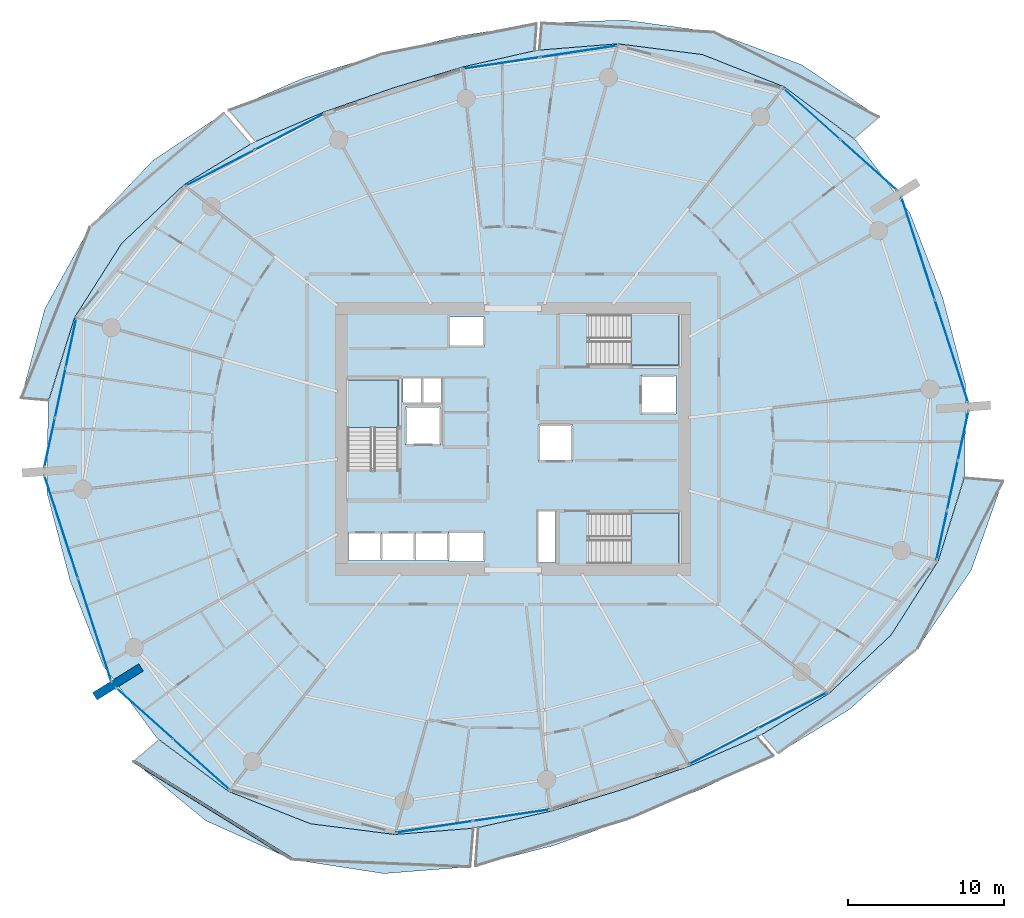
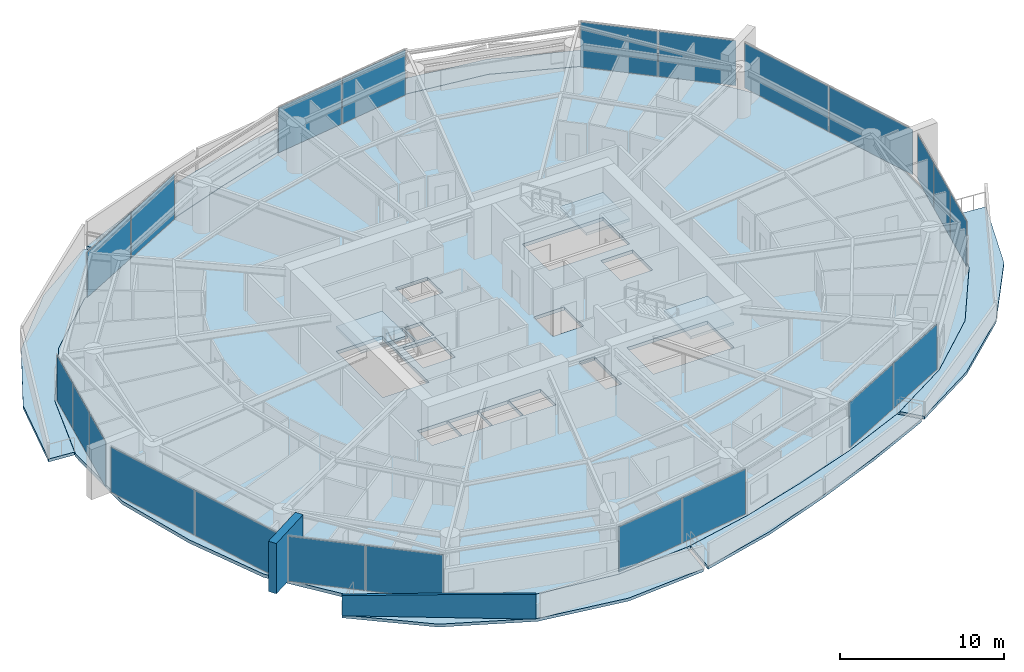
# One storey, part 10 of 23: 22 plates, 10 slabs, 2 walls, 13 elements without a shape of their own.
"""IFC4 building model written with IfcOpenShell, lengths in metres."""

from ifc_helpers import new_model, si_unit, direction, frame, frame_2d, origin, origin_2d, place, context, subcontext, project, spatial, polyline, rectangle, outline, extrude, material, layer, layer_set, type_object, element, aggregate, save


model = new_model("IFC4")

# Units and contexts
model_context = context("Model", 3, precision=1e-05, world=origin(), true_north=direction((0.0, 1.0)))
body_context = subcontext(model_context, "Body", "Model", "MODEL_VIEW")
ifc_project = project(units=[si_unit("LENGTHUNIT", "METRE"), si_unit("AREAUNIT", "SQUARE_METRE"), si_unit("VOLUMEUNIT", "CUBIC_METRE"), si_unit("PLANEANGLEUNIT", "RADIAN"), si_unit("MASSUNIT", "GRAM", prefix="KILO")], contexts=[model_context])

# Site, building, storey
site_placement = place(None, origin())
site = spatial("IfcSite", under=ifc_project, at=site_placement, CompositionType="ELEMENT")
building_placement = place(site_placement, origin())
building = spatial("IfcBuilding", under=site, at=building_placement, Name="Kazma Halo Residences", CompositionType="ELEMENT")
storey_placement = place(building_placement, frame((0.0, 0.0, 82.64990234375)))
storey = spatial("IfcBuildingStorey", under=building, at=storey_placement, Name="L20", CompositionType="ELEMENT", Elevation=82.64990234375)

# Curtain wall, plates
ifc_material_1 = material(Name="Aluminium AW-6063 T6 and Triple-Silver Low-E Glass", Category="aluminium")
ifc_layer_1 = layer(ifc_material_1, 0.199951171875)
ifc_layer_set_1 = layer_set([ifc_layer_1], Name="Aluminium AW-6063 T6 and Triple-Silver Low-E Glass")
curtain_wall_type = type_object("IfcCurtainWallType", Name="CW-SYS-3", PredefinedType="NOTDEFINED", material=ifc_layer_set_1)
curtain_wall_1_placement = place(storey_placement, origin())
curtain_wall_1 = element("IfcCurtainWall", 1, at=curtain_wall_1_placement, inside=storey, type_object=curtain_wall_type, Name="L20 unitised curtain wall B01", PredefinedType="NOTDEFINED")
ifc_material_2 = material(Name="Clear Triple-Silver Low-E Glass IGU", Category="glass")
ifc_layer_2 = layer(ifc_material_2, 0.030029296875)
ifc_layer_set_2 = layer_set([ifc_layer_2], Name="Clear Triple-Silver Low-E Glass IGU")
plate_type = type_object("IfcPlateType", Name="CW-SYS-3-PNL", PredefinedType="CURTAIN_PANEL", material=ifc_layer_set_2)
plate_1_placement = place(storey_placement, frame((71.251220703125, 59.614013671875, 0.06982421875), z_axis=(0.0, 0.0, 1.0), x_axis=(-0.744345279359, 0.667794957375, 0.0)))
plate_1 = element("IfcPlate", 2, at=plate_1_placement, type_object=plate_type, Name="CWS-3 panel 1.1", PredefinedType="CURTAIN_PANEL", context=body_context, shape_type="SweptSolid", body=[
    extrude(rectangle(XDim=4.81982421875, YDim=0.030029296875, at=origin_2d()), origin(), (0.0, 0.0, 1.0), 3.360107421875),
])
plate_2_placement = place(storey_placement, frame((67.611572265625, 62.87939453125, 0.06982421875), z_axis=(0.0, 0.0, 1.0), x_axis=(-0.744345279359, 0.667794957375, 0.0)))
plate_2 = element("IfcPlate", 3, at=plate_2_placement, type_object=plate_type, Name="CWS-3 panel 2.1", PredefinedType="CURTAIN_PANEL", context=body_context, shape_type="SweptSolid", body=[
    extrude(rectangle(XDim=4.81982421875, YDim=0.030029296875, at=origin_2d()), origin(), (0.0, 0.0, 1.0), 3.360107421875),
])
aggregate(curtain_wall_1, [plate_1, plate_2])

curtain_wall_2_placement = place(storey_placement, origin())
curtain_wall_2 = element("IfcCurtainWall", 4, at=curtain_wall_2_placement, inside=storey, type_object=curtain_wall_type, Name="L20 unitised curtain wall B03", PredefinedType="NOTDEFINED")
plate_3_placement = place(storey_placement, frame((52.625732421875, 66.900390625, 0.06982421875), z_axis=(0.0, 0.0, 1.0), x_axis=(-0.988879747814, -0.148717330409, 0.0)))
plate_3 = element("IfcPlate", 5, at=plate_3_placement, type_object=plate_type, Name="CWS-3 panel 1.1", PredefinedType="CURTAIN_PANEL", context=body_context, shape_type="SweptSolid", body=[
    extrude(rectangle(XDim=4.922607421875, YDim=0.030029296875, at=origin_2d()), origin(), (0.0, 0.0, 1.0), 3.360107421875),
])
plate_4_placement = place(storey_placement, frame((47.6884765625, 66.157958984375, 0.06982421875), z_axis=(0.0, 0.0, 1.0), x_axis=(-0.988879747814, -0.148717330409, 0.0)))
plate_4 = element("IfcPlate", 6, at=plate_4_placement, type_object=plate_type, Name="CWS-3 panel 2.1", PredefinedType="CURTAIN_PANEL", context=body_context, shape_type="SweptSolid", body=[
    extrude(rectangle(XDim=4.922607421875, YDim=0.030029296875, at=origin_2d()), origin(), (0.0, 0.0, 1.0), 3.360107421875),
])
aggregate(curtain_wall_2, [plate_3, plate_4])

curtain_wall_3_placement = place(storey_placement, origin())
curtain_wall_3 = element("IfcCurtainWall", 7, at=curtain_wall_3_placement, inside=storey, type_object=curtain_wall_type, Name="L20 unitised curtain wall B05", PredefinedType="NOTDEFINED")
plate_5_placement = place(storey_placement, frame((34.052490234375, 61.727294921875, 0.06982421875), z_axis=(0.0, 0.0, 1.0), x_axis=(-0.887435374749, -0.460932159481, 0.0)))
plate_5 = element("IfcPlate", 8, at=plate_5_placement, type_object=plate_type, Name="CWS-3 panel 1.1", PredefinedType="CURTAIN_PANEL", context=body_context, shape_type="SweptSolid", body=[
    extrude(rectangle(XDim=4.9228515625, YDim=0.030029296875, at=origin_2d()), origin(), (0.0, 0.0, 1.0), 3.360107421875),
])
plate_6_placement = place(storey_placement, frame((29.62158203125, 59.426025390625, 0.06982421875), z_axis=(0.0, 0.0, 1.0), x_axis=(-0.887435374749, -0.460932159481, 0.0)))
plate_6 = element("IfcPlate", 9, at=plate_6_placement, type_object=plate_type, Name="CWS-3 panel 2.1", PredefinedType="CURTAIN_PANEL", context=body_context, shape_type="SweptSolid", body=[
    extrude(rectangle(XDim=4.9228515625, YDim=0.030029296875, at=origin_2d()), origin(), (0.0, 0.0, 1.0), 3.360107421875),
])
aggregate(curtain_wall_3, [plate_5, plate_6])

curtain_wall_4_placement = place(storey_placement, origin())
curtain_wall_4 = element("IfcCurtainWall", 10, at=curtain_wall_4_placement, inside=storey, type_object=curtain_wall_type, Name="L20 unitised curtain wall B07", PredefinedType="NOTDEFINED")
plate_7_placement = place(storey_placement, frame((20.033447265625, 48.1669921875, 0.06982421875), z_axis=(0.0, 0.0, 1.0), x_axis=(-0.209660822677, -0.977774176093, 0.0)))
plate_7 = element("IfcPlate", 11, at=plate_7_placement, type_object=plate_type, Name="CWS-3 panel 1.1", PredefinedType="CURTAIN_PANEL", context=body_context, shape_type="SweptSolid", body=[
    extrude(rectangle(XDim=3.17822265625, YDim=0.030029296875, at=origin_2d()), origin(), (0.0, 0.0, 1.0), 3.360107421875),
])
plate_8_placement = place(storey_placement, frame((19.3486328125, 44.973876953125, 0.06982421875), z_axis=(0.0, 0.0, 1.0), x_axis=(-0.209660822677, -0.977774176093, 0.0)))
plate_8 = element("IfcPlate", 12, at=plate_8_placement, type_object=plate_type, Name="CWS-3 panel 2.1", PredefinedType="CURTAIN_PANEL", context=body_context, shape_type="SweptSolid", body=[
    extrude(rectangle(XDim=3.213134765625, YDim=0.030029296875, at=origin_2d()), origin(), (0.0, 0.0, 1.0), 3.360107421875),
])
plate_9_placement = place(storey_placement, frame((18.6640625, 41.78076171875, 0.06982421875), z_axis=(0.0, 0.0, 1.0), x_axis=(-0.209660822677, -0.977774176093, 0.0)))
plate_9 = element("IfcPlate", 13, at=plate_9_placement, type_object=plate_type, Name="CWS-3 panel 3.1", PredefinedType="CURTAIN_PANEL", context=body_context, shape_type="SweptSolid", body=[
    extrude(rectangle(XDim=3.17822265625, YDim=0.030029296875, at=origin_2d()), origin(), (0.0, 0.0, 1.0), 3.360107421875),
])
aggregate(curtain_wall_4, [plate_7, plate_8, plate_9])

curtain_wall_5_placement = place(storey_placement, origin())
curtain_wall_5 = element("IfcCurtainWall", 14, at=curtain_wall_5_placement, inside=storey, type_object=curtain_wall_type, Name="L20 unitised curtain wall B08", PredefinedType="NOTDEFINED")
plate_10_placement = place(storey_placement, frame((19.40673828125, 36.357421875, 0.06982421875), z_axis=(0.0, 0.0, 1.0), x_axis=(0.309013282008, -0.951057722508, 0.0)))
plate_10 = element("IfcPlate", 15, at=plate_10_placement, type_object=plate_type, Name="CWS-3 panel 1.1", PredefinedType="CURTAIN_PANEL", context=body_context, shape_type="SweptSolid", body=[
    extrude(rectangle(XDim=6.868896484375, YDim=0.030029296875, at=origin_2d()), origin(), (0.0, 0.0, 1.0), 3.360107421875),
])
plate_11_placement = place(storey_placement, frame((21.551025390625, 29.758056640625, 0.06982421875), z_axis=(0.0, 0.0, 1.0), x_axis=(0.309013282008, -0.951057722508, 0.0)))
plate_11 = element("IfcPlate", 16, at=plate_11_placement, type_object=plate_type, Name="CWS-3 panel 2.1", PredefinedType="CURTAIN_PANEL", context=body_context, shape_type="SweptSolid", body=[
    extrude(rectangle(XDim=6.868896484375, YDim=0.030029296875, at=origin_2d()), origin(), (0.0, 0.0, 1.0), 3.360107421875),
])
aggregate(curtain_wall_5, [plate_10, plate_11])

curtain_wall_6_placement = place(storey_placement, origin())
curtain_wall_6 = element("IfcCurtainWall", 17, at=curtain_wall_6_placement, inside=storey, type_object=curtain_wall_type, Name="L20 unitised curtain wall B09", PredefinedType="NOTDEFINED")
plate_12_placement = place(storey_placement, frame((24.748779296875, 24.385986328125, 0.06982421875), z_axis=(0.0, 0.0, 1.0), x_axis=(0.744345279359, -0.667794957375, 0.0)))
plate_12 = element("IfcPlate", 18, at=plate_12_placement, type_object=plate_type, Name="CWS-3 panel 1.1", PredefinedType="CURTAIN_PANEL", context=body_context, shape_type="SweptSolid", body=[
    extrude(rectangle(XDim=4.81982421875, YDim=0.030029296875, at=origin_2d()), origin(), (0.0, 0.0, 1.0), 3.360107421875),
])
plate_13_placement = place(storey_placement, frame((28.388427734375, 21.12060546875, 0.06982421875), z_axis=(0.0, 0.0, 1.0), x_axis=(0.744345279359, -0.667794957375, 0.0)))
plate_13 = element("IfcPlate", 19, at=plate_13_placement, type_object=plate_type, Name="CWS-3 panel 2.1", PredefinedType="CURTAIN_PANEL", context=body_context, shape_type="SweptSolid", body=[
    extrude(rectangle(XDim=4.81982421875, YDim=0.030029296875, at=origin_2d()), origin(), (0.0, 0.0, 1.0), 3.360107421875),
])
aggregate(curtain_wall_6, [plate_12, plate_13])

curtain_wall_7_placement = place(storey_placement, origin())
curtain_wall_7 = element("IfcCurtainWall", 20, at=curtain_wall_7_placement, inside=storey, type_object=curtain_wall_type, Name="L20 unitised curtain wall B11", PredefinedType="NOTDEFINED")
plate_14_placement = place(storey_placement, frame((43.374267578125, 17.099609375, 0.06982421875), z_axis=(0.0, 0.0, 1.0), x_axis=(0.988879747814, 0.148717330409, 0.0)))
plate_14 = element("IfcPlate", 21, at=plate_14_placement, type_object=plate_type, Name="CWS-3 panel 1.1", PredefinedType="CURTAIN_PANEL", context=body_context, shape_type="SweptSolid", body=[
    extrude(rectangle(XDim=4.922607421875, YDim=0.030029296875, at=origin_2d()), origin(), (0.0, 0.0, 1.0), 3.360107421875),
])
plate_15_placement = place(storey_placement, frame((48.3115234375, 17.842041015625, 0.06982421875), z_axis=(0.0, 0.0, 1.0), x_axis=(0.988879747814, 0.148717330409, 0.0)))
plate_15 = element("IfcPlate", 22, at=plate_15_placement, type_object=plate_type, Name="CWS-3 panel 2.1", PredefinedType="CURTAIN_PANEL", context=body_context, shape_type="SweptSolid", body=[
    extrude(rectangle(XDim=4.922607421875, YDim=0.030029296875, at=origin_2d()), origin(), (0.0, 0.0, 1.0), 3.360107421875),
])
aggregate(curtain_wall_7, [plate_14, plate_15])

curtain_wall_8_placement = place(storey_placement, origin())
curtain_wall_8 = element("IfcCurtainWall", 23, at=curtain_wall_8_placement, inside=storey, type_object=curtain_wall_type, Name="L20 unitised curtain wall B13", PredefinedType="NOTDEFINED")
plate_16_placement = place(storey_placement, frame((61.947509765625, 22.272705078125, 0.06982421875), z_axis=(0.0, 0.0, 1.0), x_axis=(0.887435374749, 0.460932159481, 0.0)))
plate_16 = element("IfcPlate", 24, at=plate_16_placement, type_object=plate_type, Name="CWS-3 panel 1.1", PredefinedType="CURTAIN_PANEL", context=body_context, shape_type="SweptSolid", body=[
    extrude(rectangle(XDim=4.9228515625, YDim=0.030029296875, at=origin_2d()), origin(), (0.0, 0.0, 1.0), 3.360107421875),
])
plate_17_placement = place(storey_placement, frame((66.37841796875, 24.573974609375, 0.06982421875), z_axis=(0.0, 0.0, 1.0), x_axis=(0.887435374749, 0.460932159481, 0.0)))
plate_17 = element("IfcPlate", 25, at=plate_17_placement, type_object=plate_type, Name="CWS-3 panel 2.1", PredefinedType="CURTAIN_PANEL", context=body_context, shape_type="SweptSolid", body=[
    extrude(rectangle(XDim=4.9228515625, YDim=0.030029296875, at=origin_2d()), origin(), (0.0, 0.0, 1.0), 3.360107421875),
])
aggregate(curtain_wall_8, [plate_16, plate_17])

curtain_wall_9_placement = place(storey_placement, origin())
curtain_wall_9 = element("IfcCurtainWall", 26, at=curtain_wall_9_placement, inside=storey, type_object=curtain_wall_type, Name="L20 unitised curtain wall B15", PredefinedType="NOTDEFINED")
plate_18_placement = place(storey_placement, frame((75.966552734375, 35.8330078125, 0.06982421875), z_axis=(0.0, 0.0, 1.0), x_axis=(0.209660822677, 0.977774176093, 0.0)))
plate_18 = element("IfcPlate", 27, at=plate_18_placement, type_object=plate_type, Name="CWS-3 panel 1.1", PredefinedType="CURTAIN_PANEL", context=body_context, shape_type="SweptSolid", body=[
    extrude(rectangle(XDim=3.17822265625, YDim=0.030029296875, at=origin_2d()), origin(), (0.0, 0.0, 1.0), 3.360107421875),
])
plate_19_placement = place(storey_placement, frame((76.6513671875, 39.026123046875, 0.06982421875), z_axis=(0.0, 0.0, 1.0), x_axis=(0.209660822677, 0.977774176093, 0.0)))
plate_19 = element("IfcPlate", 28, at=plate_19_placement, type_object=plate_type, Name="CWS-3 panel 2.1", PredefinedType="CURTAIN_PANEL", context=body_context, shape_type="SweptSolid", body=[
    extrude(rectangle(XDim=3.213134765625, YDim=0.030029296875, at=origin_2d()), origin(), (0.0, 0.0, 1.0), 3.360107421875),
])
plate_20_placement = place(storey_placement, frame((77.3359375, 42.21923828125, 0.06982421875), z_axis=(0.0, 0.0, 1.0), x_axis=(0.209660822677, 0.977774176093, 0.0)))
plate_20 = element("IfcPlate", 29, at=plate_20_placement, type_object=plate_type, Name="CWS-3 panel 3.1", PredefinedType="CURTAIN_PANEL", context=body_context, shape_type="SweptSolid", body=[
    extrude(rectangle(XDim=3.17822265625, YDim=0.030029296875, at=origin_2d()), origin(), (0.0, 0.0, 1.0), 3.360107421875),
])
aggregate(curtain_wall_9, [plate_18, plate_19, plate_20])

curtain_wall_10_placement = place(storey_placement, origin())
curtain_wall_10 = element("IfcCurtainWall", 30, at=curtain_wall_10_placement, inside=storey, type_object=curtain_wall_type, Name="L20 unitised curtain wall B16", PredefinedType="NOTDEFINED")
plate_21_placement = place(storey_placement, frame((76.59326171875, 47.642578125, 0.06982421875), z_axis=(0.0, 0.0, 1.0), x_axis=(-0.309013282008, 0.951057722508, 0.0)))
plate_21 = element("IfcPlate", 31, at=plate_21_placement, type_object=plate_type, Name="CWS-3 panel 1.1", PredefinedType="CURTAIN_PANEL", context=body_context, shape_type="SweptSolid", body=[
    extrude(rectangle(XDim=6.868896484375, YDim=0.030029296875, at=origin_2d()), origin(), (0.0, 0.0, 1.0), 3.360107421875),
])
plate_22_placement = place(storey_placement, frame((74.448974609375, 54.241943359375, 0.06982421875), z_axis=(0.0, 0.0, 1.0), x_axis=(-0.309013282008, 0.951057722508, 0.0)))
plate_22 = element("IfcPlate", 32, at=plate_22_placement, type_object=plate_type, Name="CWS-3 panel 2.1", PredefinedType="CURTAIN_PANEL", context=body_context, shape_type="SweptSolid", body=[
    extrude(rectangle(XDim=6.868896484375, YDim=0.030029296875, at=origin_2d()), origin(), (0.0, 0.0, 1.0), 3.360107421875),
])
aggregate(curtain_wall_10, [plate_21, plate_22])

# Slabs
ifc_material_3 = material(Name="White Concrete C50/60", Category="concrete")
ifc_layer_3 = layer(ifc_material_3, 0.219970703125)
ifc_layer_set_3 = layer_set([ifc_layer_3], Name="White Concrete C50/60")
slab_type_1 = type_object("IfcSlabType", Name="SLB-BAL-WAVE-210", PredefinedType="FLOOR", material=ifc_layer_set_3)
slab_1_placement = place(storey_placement, frame((0.0, 0.0, -0.219970703125)))
element("IfcSlab", 33, at=slab_1_placement, inside=storey, type_object=slab_type_1, Name="L20 NE cantilevered wave balcony slab", PredefinedType="FLOOR", context=body_context, shape_type="SweptSolid", body=[
    extrude(outline(polyline([(70.323974609375, 61.303466796875), (65.841064453125, 64.63134765625), (60.5869140625, 66.702880859375), (55.161865234375, 67.394287109375), (50.12060546875, 66.992431640625), (50.267333984375, 68.7216796875), (55.593017578125, 68.922607421875), (61.321044921875, 68.144287109375), (66.961181640625, 66.052001953125), (71.92041015625, 62.68408203125), (70.323974609375, 61.303466796875)])), origin(), (0.0, 0.0, 1.0), 0.219970703125),
])
slab_2_placement = place(storey_placement, frame((0.0, 0.0, -0.219970703125)))
element("IfcSlab", 34, at=slab_2_placement, inside=storey, type_object=slab_type_1, Name="L20 NNW cantilevered wave balcony slab", PredefinedType="FLOOR", context=body_context, shape_type="SweptSolid", body=[
    extrude(outline(polyline([(49.81005859375, 66.94580078125), (45.1708984375, 65.902587890625), (40.675048828125, 64.544189453125), (36.239013671875, 63.00048828125), (31.872802734375, 61.11767578125), (30.180419921875, 63.124267578125), (35.002685546875, 65.208251953125), (39.965087890625, 66.728759765625), (44.936279296875, 67.88525390625), (49.936279296875, 68.685546875), (49.81005859375, 66.94580078125)])), origin(), (0.0, 0.0, 1.0), 0.219970703125),
])
slab_3_placement = place(storey_placement, frame((0.0, 0.0, -0.219970703125)))
element("IfcSlab", 35, at=slab_3_placement, inside=storey, type_object=slab_type_1, Name="L20 NW cantilevered wave balcony slab", PredefinedType="FLOOR", context=body_context, shape_type="SweptSolid", body=[
    extrude(outline(polyline([(31.59423828125, 60.972900390625), (27.279541015625, 58.334716796875), (23.297119140625, 54.5869140625), (20.263916015625, 49.822509765625), (18.59326171875, 44.4951171875), (16.84033203125, 44.643798828125), (18.34228515625, 50.3642578125), (21.25048828125, 55.629638671875), (25.292236328125, 59.9013671875), (29.874267578125, 62.9619140625), (31.59423828125, 60.972900390625)])), origin(), (0.0, 0.0, 1.0), 0.219970703125),
])
slab_4_placement = place(storey_placement, frame((0.0, 0.0, -0.219970703125)))
element("IfcSlab", 36, at=slab_4_placement, inside=storey, type_object=slab_type_1, Name="L20 SW cantilevered wave balcony slab", PredefinedType="FLOOR", context=body_context, shape_type="SweptSolid", body=[
    extrude(outline(polyline([(25.676025390625, 22.696533203125), (30.158935546875, 19.36865234375), (35.4130859375, 17.297119140625), (40.838134765625, 16.605712890625), (45.87939453125, 17.007568359375), (45.669189453125, 14.5322265625), (40.130126953125, 14.095703125), (34.24267578125, 14.999755859375), (28.68115234375, 17.494140625), (24.065185546875, 21.303466796875), (25.676025390625, 22.696533203125)])), origin(), (0.0, 0.0, 1.0), 0.219970703125),
])
slab_5_placement = place(storey_placement, frame((0.0, 0.0, -0.219970703125)))
element("IfcSlab", 37, at=slab_5_placement, inside=storey, type_object=slab_type_1, Name="L20 SSE cantilevered wave balcony slab", PredefinedType="FLOOR", context=body_context, shape_type="SweptSolid", body=[
    extrude(outline(polyline([(46.18994140625, 17.05419921875), (50.8291015625, 18.097412109375), (55.324951171875, 19.455810546875), (59.760986328125, 20.99951171875), (64.127197265625, 22.88232421875), (65.1494140625, 21.670654296875), (60.57470703125, 19.546142578125), (55.911865234375, 17.64990234375), (51.087646484375, 15.9130859375), (46.011474609375, 14.594482421875), (46.18994140625, 17.05419921875)])), origin(), (0.0, 0.0, 1.0), 0.219970703125),
])
slab_6_placement = place(storey_placement, frame((0.0, 0.0, -0.219970703125)))
element("IfcSlab", 38, at=slab_6_placement, inside=storey, type_object=slab_type_1, Name="L20 SE cantilevered wave balcony slab", PredefinedType="FLOOR", context=body_context, shape_type="SweptSolid", body=[
    extrude(outline(polyline([(64.40576171875, 23.027099609375), (68.720458984375, 25.665283203125), (72.702880859375, 29.4130859375), (75.736083984375, 34.177490234375), (77.40673828125, 39.5048828125), (79.87890625, 39.294921875), (77.85302734375, 33.58056640625), (74.39501953125, 28.551025390625), (70.028564453125, 24.634033203125), (65.44580078125, 21.82470703125), (64.40576171875, 23.027099609375)])), origin(), (0.0, 0.0, 1.0), 0.219970703125),
])
ifc_material_4 = material(Name="Concrete C50/60", Category="concrete")
ifc_layer_4 = layer(ifc_material_4, 0.25)
ifc_layer_set_4 = layer_set([ifc_layer_4], Name="Concrete C50/60")
slab_type_2 = type_object("IfcSlabType", Name="SLB-RES-250", PredefinedType="FLOOR", material=ifc_layer_set_4)
slab_7_placement = place(storey_placement, frame((0.0, 0.0, -0.25)))
element("IfcSlab", 39, at=slab_7_placement, inside=storey, type_object=slab_type_2, Name="L20 structural floor slab", PredefinedType="FLOOR", context=body_context, shape_type="SweptSolid", body=[
    extrude(outline(polyline([(76.02001953125, 51.104248046875), (73.918212890625, 56.514892578125), (70.459716796875, 61.182373046875), (65.83984375, 64.629638671875), (60.5859375, 66.701171875), (55.161376953125, 67.392333984375), (49.9658203125, 66.976806640625), (45.171142578125, 65.900634765625), (40.675537109375, 64.542236328125), (36.239990234375, 62.998779296875), (31.728759765625, 61.05126953125), (27.281005859375, 58.33349609375), (23.298828125, 54.5859375), (20.265869140625, 49.82177734375), (18.554443359375, 44.3173828125), (18.500244140625, 38.508544921875), (19.97998046875, 32.895751953125), (22.081787109375, 27.485107421875), (25.540283203125, 22.817626953125), (30.16015625, 19.370361328125), (35.4140625, 17.298828125), (40.838623046875, 16.607666015625), (46.0341796875, 17.023193359375), (50.828857421875, 18.099365234375), (55.324462890625, 19.457763671875), (59.760009765625, 21.001220703125), (64.271240234375, 22.94873046875), (68.718994140625, 25.66650390625), (72.701171875, 29.4140625), (75.734130859375, 34.17822265625), (77.445556640625, 39.6826171875), (77.499755859375, 45.491455078125), (76.02001953125, 51.104248046875)]), holes=[polyline([(37.800048828125, 40.110107421875), (41.050048828125, 40.110107421875), (41.050048828125, 45.800048828125), (37.800048828125, 45.800048828125), (37.800048828125, 40.110107421875)]), polyline([(53.360107421875, 46.75), (59.050048828125, 46.75), (59.050048828125, 50.0), (53.360107421875, 50.0), (53.360107421875, 46.75)]), polyline([(53.360107421875, 34.0), (59.050048828125, 34.0), (59.050048828125, 37.25), (53.360107421875, 37.25), (53.360107421875, 34.0)]), polyline([(41.52001953125, 41.6201171875), (43.780029296875, 41.6201171875), (43.780029296875, 44.080078125), (41.52001953125, 44.080078125), (41.52001953125, 41.6201171875)]), polyline([(56.6201171875, 43.6201171875), (58.8798828125, 43.6201171875), (58.8798828125, 46.080078125), (56.6201171875, 46.080078125), (56.6201171875, 43.6201171875)]), polyline([(37.864990234375, 34.195068359375), (39.97509765625, 34.195068359375), (39.97509765625, 36.0048828125), (37.864990234375, 36.0048828125), (37.864990234375, 34.195068359375)]), polyline([(40.014892578125, 34.195068359375), (42.125, 34.195068359375), (42.125, 36.0048828125), (40.014892578125, 36.0048828125), (40.014892578125, 34.195068359375)]), polyline([(42.1650390625, 34.195068359375), (44.27490234375, 34.195068359375), (44.27490234375, 36.0048828125), (42.1650390625, 36.0048828125), (42.1650390625, 34.195068359375)]), polyline([(44.320068359375, 47.945068359375), (46.580078125, 47.945068359375), (46.580078125, 49.85498046875), (44.320068359375, 49.85498046875), (44.320068359375, 47.945068359375)]), polyline([(44.320068359375, 34.14501953125), (46.580078125, 34.14501953125), (46.580078125, 36.054931640625), (44.320068359375, 36.054931640625), (44.320068359375, 34.14501953125)]), polyline([(50.070068359375, 40.570068359375), (52.22998046875, 40.570068359375), (52.22998046875, 42.929931640625), (50.070068359375, 42.929931640625), (50.070068359375, 40.570068359375)]), polyline([(41.360107421875, 44.340087890625), (42.5400390625, 44.340087890625), (42.5400390625, 45.89990234375), (41.360107421875, 45.89990234375), (41.360107421875, 44.340087890625)]), polyline([(42.659912109375, 44.340087890625), (43.840087890625, 44.340087890625), (43.840087890625, 45.89990234375), (42.659912109375, 45.89990234375), (42.659912109375, 44.340087890625)]), polyline([(50.06005859375, 34.080078125), (51.159912109375, 34.080078125), (51.159912109375, 37.3798828125), (50.06005859375, 37.3798828125), (50.06005859375, 34.080078125)])]), origin(), (0.0, 0.0, 1.0), 0.25),
])

# Stair, slab
stair_type = type_object("IfcStairType", Name="STR-RES1", PredefinedType="HALF_TURN_STAIR", material=ifc_material_4)
stair_1_placement = place(storey_placement, origin())
stair_1 = element("IfcStair", 40, at=stair_1_placement, inside=storey, type_object=stair_type, Name="L20 Core exit stair ST-01", PredefinedType="HALF_TURN_STAIR")
ifc_layer_5 = layer(ifc_material_4, 0.199951171875)
ifc_layer_set_5 = layer_set([ifc_layer_5], Name="Concrete C50/60")
slab_type_3 = type_object("IfcSlabType", Name="SLB-STAIR-LND-200", PredefinedType="LANDING", material=ifc_layer_set_5)
slab_8_placement = place(storey_placement, frame((0.0, 0.0, 1.675048828125)))
slab_8 = element("IfcSlab", 41, at=slab_8_placement, type_object=slab_type_3, Name="ST-01 landing 1", PredefinedType="LANDING", context=body_context, shape_type="SweptSolid", body=[
    extrude(outline(polyline([(41.050048828125, 42.75), (41.050048828125, 45.800048828125), (37.800048828125, 45.800048828125), (37.800048828125, 42.75), (41.050048828125, 42.75)])), origin(), (0.0, 0.0, 1.0), 0.199951171875),
])
aggregate(stair_1, [slab_8])

stair_2_placement = place(storey_placement, origin())
stair_2 = element("IfcStair", 42, at=stair_2_placement, inside=storey, type_object=stair_type, Name="L20 Core exit stair ST-02", PredefinedType="HALF_TURN_STAIR")
slab_9_placement = place(storey_placement, frame((0.0, 0.0, 1.675048828125)))
slab_9 = element("IfcSlab", 43, at=slab_9_placement, type_object=slab_type_3, Name="ST-02 landing 1", PredefinedType="LANDING", context=body_context, shape_type="SweptSolid", body=[
    extrude(outline(polyline([(56.0, 46.75), (59.050048828125, 46.75), (59.050048828125, 50.0), (56.0, 50.0), (56.0, 46.75)])), origin(), (0.0, 0.0, 1.0), 0.199951171875),
])
aggregate(stair_2, [slab_9])

stair_3_placement = place(storey_placement, origin())
stair_3 = element("IfcStair", 44, at=stair_3_placement, inside=storey, type_object=stair_type, Name="L20 Core exit stair ST-03", PredefinedType="HALF_TURN_STAIR")
slab_10_placement = place(storey_placement, frame((0.0, 0.0, 1.675048828125)))
slab_10 = element("IfcSlab", 45, at=slab_10_placement, type_object=slab_type_3, Name="ST-03 landing 1", PredefinedType="LANDING", context=body_context, shape_type="SweptSolid", body=[
    extrude(outline(polyline([(56.0, 34.0), (59.050048828125, 34.0), (59.050048828125, 37.25), (56.0, 37.25), (56.0, 34.0)])), origin(), (0.0, 0.0, 1.0), 0.199951171875),
])
aggregate(stair_3, [slab_10])

# Walls
ifc_material_5 = material(Name="White Concrete C50/60 Balustrade", Category="concrete")
ifc_layer_6 = layer(ifc_material_5, 0.179931640625)
ifc_layer_set_6 = layer_set([ifc_layer_6], Name="White Concrete C50/60 Balustrade")
wall_type_1 = type_object("IfcWallType", Name="WL-BAL-WAVE-180", PredefinedType="PARAPET", material=ifc_layer_set_6)
wall_1_placement = place(storey_placement, frame((24.065185546875, 21.303466796875, 0.0), z_axis=(0.0, 0.0, 1.0), x_axis=(0.850140442318, -0.526556006836, 0.0)))
element("IfcWall", 46, at=wall_1_placement, inside=storey, type_object=wall_type_1, Name="L20 white wave balustrade wall SW.1", PredefinedType="PARAPET", context=body_context, shape_type="SweptSolid", body=[
    extrude(outline(polyline([(0.0, 0.0), (11.8515625, 0.0), (11.8515625, 1.83203125), (5.92578125, 1.696044921875), (0.0, 1.4970703125), (0.0, 0.0)])), frame((0.0, 0.08984375, 0.0), z_axis=(0.0, -1.0, 0.0), x_axis=(1.0, 0.0, 0.0)), (0.0, 0.0, 1.0), 0.179931640625),
])
ifc_material_6 = material(Name="Pale Concrete C60/75", Category="concrete")
ifc_layer_7 = layer(ifc_material_6, 0.550048828125)
ifc_layer_set_7 = layer_set([ifc_layer_7], Name="Pale Concrete C60/75")
wall_type_2 = type_object("IfcWallType", Name="WL-BLADE-550", PredefinedType="SOLIDWALL", material=ifc_layer_set_7)
wall_2_placement = place(storey_placement, frame((24.531494140625, 27.335205078125, 0.0), z_axis=(0.0, 0.0, 1.0), x_axis=(-0.848053161125, -0.529911158502, 0.0)))
element("IfcWall", 47, at=wall_2_placement, inside=storey, type_object=wall_type_2, Name="L20 pale concrete structural blade fin wall BW-03", PredefinedType="SOLIDWALL", context=body_context, shape_type="SweptSolid", body=[
    extrude(rectangle(XDim=3.5, YDim=0.550048828125, at=frame_2d((1.75, 0.0))), origin(), (0.0, 0.0, 1.0), 3.75),
])

save(model, "model.ifc")
